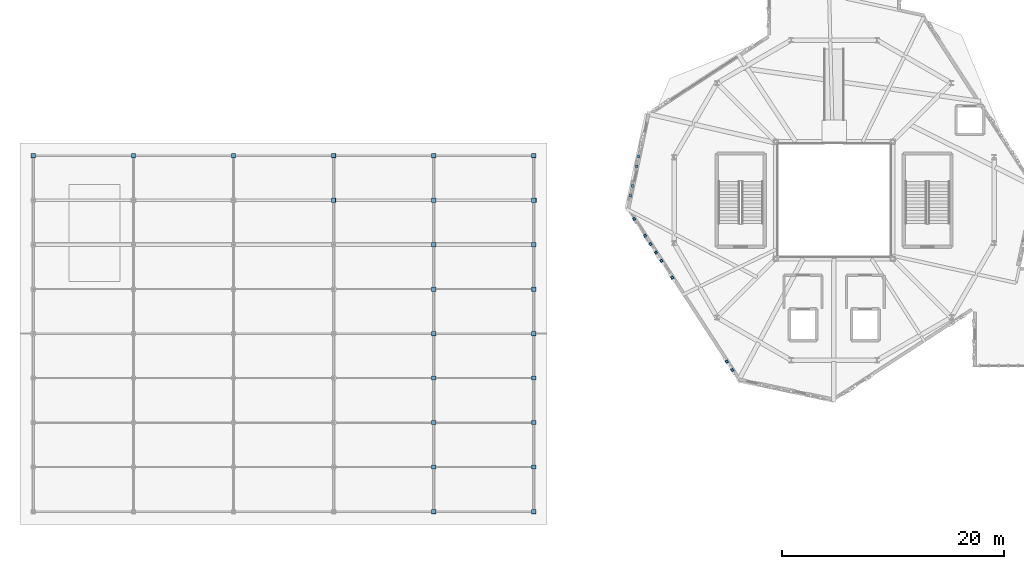
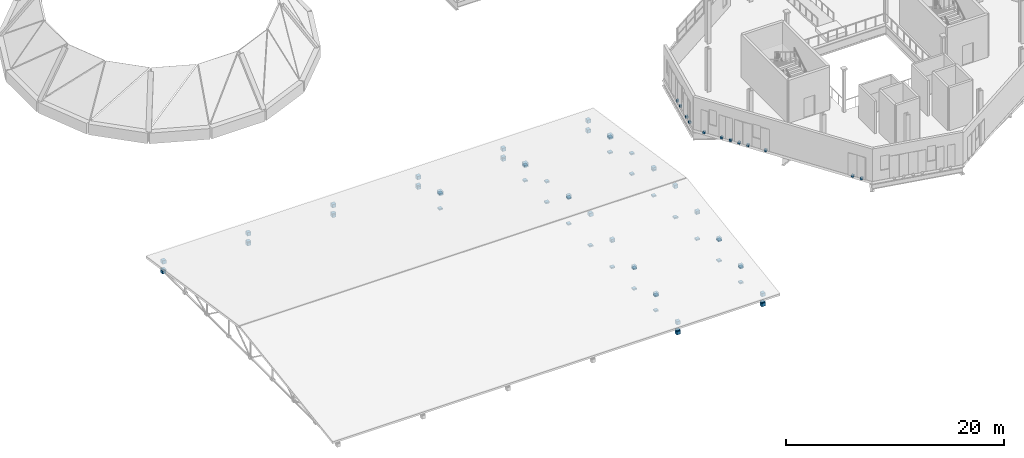
# One storey, part 109 of 118: 76 discrete accessories.
"""IFC4 building model written with IfcOpenShell, lengths in metres."""

import ifcopenshell
import ifcopenshell.guid

model = None  # the IFC model being written
_history = None  # IfcOwnerHistory: only IFC2X3 demands one
_inside = {}  # id of a spatial element -> (the spatial element, [elements in it])
_under = {}  # id of a project, library or spatial element -> (it, [spatial elements below it])
_declared = {}  # id of a project -> (the project, [libraries it declares])
_typed = {}  # id of a type object -> (the type object, [elements of that type])
_made_of = {}  # id of a material, layer set ... -> (it, [elements and type objects made of it])


def new_model(schema):
    """Start an empty IFC model of exactly this schema.

    Asked for "IFC4X3", IfcOpenShell would pick the latest addendum, in which some entities
    have other attributes; the version numbers below select the first issue.
    IFC2X3 requires an IfcOwnerHistory on every rooted entity: one is made here for all.
    """
    global model, _history
    if schema == "IFC4X3":
        model = ifcopenshell.file(schema_version=(4, 3, 0, 0))
    else:
        model = ifcopenshell.file(schema=schema)
    _inside.clear()
    _under.clear()
    _declared.clear()
    _typed.clear()
    _made_of.clear()
    _history = None
    if model.schema == "IFC2X3":
        org = make("IfcOrganization", Name="unknown")
        user = make(
            "IfcPersonAndOrganization",
            ThePerson=make("IfcPerson", FamilyName="unknown"),
            TheOrganization=org,
        )
        app = make(
            "IfcApplication",
            ApplicationDeveloper=org,
            Version="unknown",
            ApplicationFullName="unknown",
            ApplicationIdentifier="unknown",
        )
        _history = make(
            "IfcOwnerHistory",
            OwningUser=user,
            OwningApplication=app,
            ChangeAction="ADDED",
            CreationDate=0,
        )
    return model


def make(cls, **values):
    """One entity of the class cls with the attributes given. An attribute that is None is left unset."""
    return model.create_entity(
        cls, **{name: value for name, value in values.items() if value is not None}
    )


def rooted(cls, **values):
    """An entity with a GlobalId (a new one), such as an element, a storey or a relation."""
    return make(cls, GlobalId=ifcopenshell.guid.new(), OwnerHistory=_history, **values)


def si_unit(unit_type, name, prefix=None):
    """IfcSIUnit, for example si_unit("LENGTHUNIT", "METRE", prefix="MILLI")."""
    return make("IfcSIUnit", UnitType=unit_type, Prefix=prefix, Name=name)


def assignment(units):
    """IfcUnitAssignment: the units of a project."""
    return None if units is None else make("IfcUnitAssignment", Units=units)


def point(xyz):
    """IfcCartesianPoint."""
    return None if xyz is None else make("IfcCartesianPoint", Coordinates=xyz)


def direction(xyz):
    """IfcDirection."""
    return None if xyz is None else make("IfcDirection", DirectionRatios=xyz)


def frame(location, z_axis=None, x_axis=None):
    """IfcAxis2Placement3D, a coordinate frame: its origin and axes. An axis left out is left unset."""
    return make(
        "IfcAxis2Placement3D",
        Location=point(location),
        Axis=direction(z_axis),
        RefDirection=direction(x_axis),
    )


def origin():
    """The frame at (0, 0, 0) with its axes left unset."""
    return frame((0.0, 0.0, 0.0))


def place(relative_to, where):
    """IfcLocalPlacement: puts the frame where relative to a parent placement (None: the world)."""
    return make(
        "IfcLocalPlacement", PlacementRelTo=relative_to, RelativePlacement=where
    )


def context(
    kind, dimensions, precision=None, world=None, true_north=None, identifier=None
):
    """IfcGeometricRepresentationContext, for example the 3D "Model" context."""
    return make(
        "IfcGeometricRepresentationContext",
        ContextIdentifier=identifier,
        ContextType=kind,
        CoordinateSpaceDimension=dimensions,
        Precision=precision,
        WorldCoordinateSystem=world,
        TrueNorth=true_north,
    )


def subcontext(parent, identifier, kind, view, scale=None):
    """IfcGeometricRepresentationSubContext, for example "Body" below "Model"."""
    return make(
        "IfcGeometricRepresentationSubContext",
        ContextIdentifier=identifier,
        ContextType=kind,
        ParentContext=parent,
        TargetScale=scale,
        TargetView=view,
    )


def project(units=None, contexts=None):
    """IfcProject with its units and contexts."""
    return rooted(
        "IfcProject",
        Name="project",
        RepresentationContexts=contexts,
        UnitsInContext=assignment(units),
    )


def spatial(cls, under=None, at=None, **own):
    """A site, building, storey or space (cls), placed at a placement, below another one or the project."""
    s = rooted(cls, ObjectPlacement=at, **own)
    if under is not None:
        _under.setdefault(under.id(), (under, []))[1].append(s)
    return s


def polyline(points):
    """IfcPolyline through the points."""
    return make("IfcPolyline", Points=[point(p) for p in points])


def outline(outer, holes=None, kind="AREA"):
    """IfcArbitraryClosedProfileDef: a profile drawn as a closed curve; with holes, ...WithVoids."""
    if holes is None:
        return make("IfcArbitraryClosedProfileDef", ProfileType=kind, OuterCurve=outer)
    return make(
        "IfcArbitraryProfileDefWithVoids",
        ProfileType=kind,
        OuterCurve=outer,
        InnerCurves=holes,
    )


def extrude(swept, where, along, depth):
    """IfcExtrudedAreaSolid: the profile swept, set in the frame where, extruded along a direction by depth."""
    return make(
        "IfcExtrudedAreaSolid",
        SweptArea=swept,
        Position=where,
        ExtrudedDirection=direction(along),
        Depth=depth,
    )


def shape(context_of_items, identifier, shape_type, items):
    """IfcShapeRepresentation: the items that make up one representation, for example the "Body"."""
    return make(
        "IfcShapeRepresentation",
        ContextOfItems=context_of_items,
        RepresentationIdentifier=identifier,
        RepresentationType=shape_type,
        Items=items,
    )


def material(Name=None, Category=None):
    """IfcMaterial."""
    return make("IfcMaterial", Name=Name, Category=Category)


def made_of(thing, what):
    """Note that an element or type object is made of a material, layer set ...; save() writes the relation."""
    if what is not None:
        _made_of.setdefault(what.id(), (what, []))[1].append(thing)
    return thing


def type_object(cls, material=None, **own):
    """A type object (cls), such as IfcWallType, which elements share."""
    return made_of(rooted(cls, **own), material)


def element(
    cls,
    number,
    at=None,
    inside=None,
    cuts=None,
    type_object=None,
    material=None,
    context=None,
    identifier="Body",
    shape_type=None,
    held_by="IfcProductDefinitionShape",
    body=None,
    shapes=None,
    **own,
):
    """One element of the class cls, such as IfcWall. Its Tag is "e" and its number.

    at: its placement. inside: the storey or other place that contains it. cuts: it is an
    opening in that element (IfcRelVoidsElement). A single representation is given by context,
    identifier, shape_type and body (its items); several are given by shapes. held_by: the class
    of the entity that holds the representations. save() writes the other relations.
    """
    e = rooted(cls, Tag="e%d" % number, ObjectPlacement=at, **own)
    if body is not None:
        shapes = [shape(context, identifier, shape_type, body)]
    if shapes is not None:
        e.Representation = make(held_by, Representations=shapes)
    if inside is not None:
        _inside.setdefault(inside.id(), (inside, []))[1].append(e)
    if cuts is not None:
        rooted(
            "IfcRelVoidsElement", RelatingBuildingElement=cuts, RelatedOpeningElement=e
        )
    if type_object is not None:
        _typed.setdefault(type_object.id(), (type_object, []))[1].append(e)
    return made_of(e, material)


def aggregate(whole, parts):
    """IfcRelAggregates: a whole, such as a stair, and the parts it consists of."""
    return rooted("IfcRelAggregates", RelatingObject=whole, RelatedObjects=parts)


def save(model, path):
    """Write the relations noted so far, then the file.

    IfcRelAggregates (storeys below a building ...), IfcRelContainedInSpatialStructure (elements
    in a storey), IfcRelDefinesByType, IfcRelAssociatesMaterial and IfcRelDeclares: one each for
    every whole, place, type object, material and project.
    """
    for whole, parts in _under.values():
        aggregate(whole, parts)
    for where, things in _inside.values():
        rooted(
            "IfcRelContainedInSpatialStructure",
            RelatedElements=things,
            RelatingStructure=where,
        )
    for kind, things in _typed.values():
        rooted("IfcRelDefinesByType", RelatedObjects=things, RelatingType=kind)
    for what, things in _made_of.values():
        rooted("IfcRelAssociatesMaterial", RelatedObjects=things, RelatingMaterial=what)
    for by, libraries in _declared.values():
        rooted("IfcRelDeclares", RelatingContext=by, RelatedDefinitions=libraries)
    model.write(path)


model = new_model("IFC4")

# Units and contexts
model_context = context("Model", 3, precision=1e-05, world=origin(), true_north=direction((0.0, 1.0)))
body_context = subcontext(model_context, "Body", "Model", "MODEL_VIEW")
ifc_project = project(units=[si_unit("LENGTHUNIT", "METRE"), si_unit("AREAUNIT", "SQUARE_METRE"), si_unit("VOLUMEUNIT", "CUBIC_METRE"), si_unit("PLANEANGLEUNIT", "RADIAN"), si_unit("MASSUNIT", "GRAM", prefix="KILO"), si_unit("THERMODYNAMICTEMPERATUREUNIT", "KELVIN"), si_unit("POWERUNIT", "WATT")], contexts=[model_context])

# Site, building, storey
site_placement = place(None, origin())
site = spatial("IfcSite", under=ifc_project, at=site_placement, CompositionType="ELEMENT")
building_placement = place(site_placement, origin())
building = spatial("IfcBuilding", under=site, at=building_placement, Name="Zelmaris Science Centre", CompositionType="ELEMENT")
storey_placement = place(building_placement, frame((0.0, 0.0, 15.60009765625)))
storey = spatial("IfcBuildingStorey", under=building, at=storey_placement, Name="L03", CompositionType="ELEMENT", Elevation=15.60009765625)

# Discrete accessories
ifc_material_1 = material(Name="Galvanised steel ASTM A500 Grade B", Category="steel")
discrete_accessory_type_1 = type_object("IfcDiscreteAccessoryType", Name="Facade Bracket BK-01", PredefinedType="BRACKET", material=ifc_material_1)
discrete_accessory_1_placement = place(storey_placement, frame((0.0, 0.0, -0.14013671875)))
element("IfcDiscreteAccessory", 1, at=discrete_accessory_1_placement, inside=storey, type_object=discrete_accessory_type_1, Name="L03 Facade anchorage bracket 127", PredefinedType="BRACKET", context=body_context, shape_type="SweptSolid", body=[
    extrude(outline(polyline([(72.004150390625, 20.69091796875), (71.87353515625, 20.89208984375), (71.67919921875, 20.76611328125), (71.81005859375, 20.564697265625), (72.004150390625, 20.69091796875)])), origin(), (0.0, 0.0, 1.0), 0.239990234375),
])
discrete_accessory_2_placement = place(storey_placement, frame((0.0, 0.0, -0.14013671875)))
element("IfcDiscreteAccessory", 2, at=discrete_accessory_2_placement, inside=storey, type_object=discrete_accessory_type_1, Name="L03 Facade anchorage bracket 128", PredefinedType="BRACKET", context=body_context, shape_type="SweptSolid", body=[
    extrude(outline(polyline([(71.513916015625, 21.445556640625), (71.38330078125, 21.64697265625), (71.189208984375, 21.520751953125), (71.31982421875, 21.319580078125), (71.513916015625, 21.445556640625)])), origin(), (0.0, 0.0, 1.0), 0.239990234375),
])
discrete_accessory_3_placement = place(storey_placement, frame((0.0, 0.0, -0.14013671875)))
element("IfcDiscreteAccessory", 3, at=discrete_accessory_3_placement, inside=storey, type_object=discrete_accessory_type_1, Name="L03 Facade anchorage bracket 129", PredefinedType="BRACKET", context=body_context, shape_type="SweptSolid", body=[
    extrude(outline(polyline([(66.6123046875, 28.99365234375), (66.481689453125, 29.195068359375), (66.287353515625, 29.06884765625), (66.41796875, 28.867431640625), (66.6123046875, 28.99365234375)])), origin(), (0.0, 0.0, 1.0), 0.239990234375),
])
discrete_accessory_4_placement = place(storey_placement, frame((0.0, 0.0, -0.14013671875)))
element("IfcDiscreteAccessory", 4, at=discrete_accessory_4_placement, inside=storey, type_object=discrete_accessory_type_1, Name="L03 Facade anchorage bracket 130", PredefinedType="BRACKET", context=body_context, shape_type="SweptSolid", body=[
    extrude(outline(polyline([(65.6318359375, 30.50341796875), (65.501220703125, 30.70458984375), (65.306884765625, 30.578369140625), (65.437744140625, 30.377197265625), (65.6318359375, 30.50341796875)])), origin(), (0.0, 0.0, 1.0), 0.239990234375),
])
discrete_accessory_5_placement = place(storey_placement, frame((0.0, 0.0, -0.14013671875)))
element("IfcDiscreteAccessory", 5, at=discrete_accessory_5_placement, inside=storey, type_object=discrete_accessory_type_1, Name="L03 Facade anchorage bracket 131", PredefinedType="BRACKET", context=body_context, shape_type="SweptSolid", body=[
    extrude(outline(polyline([(65.1416015625, 31.258056640625), (65.010986328125, 31.45947265625), (64.81689453125, 31.333251953125), (64.947509765625, 31.132080078125), (65.1416015625, 31.258056640625)])), origin(), (0.0, 0.0, 1.0), 0.239990234375),
])
discrete_accessory_6_placement = place(storey_placement, frame((0.0, 0.0, -0.14013671875)))
element("IfcDiscreteAccessory", 6, at=discrete_accessory_6_placement, inside=storey, type_object=discrete_accessory_type_1, Name="L03 Facade anchorage bracket 132", PredefinedType="BRACKET", context=body_context, shape_type="SweptSolid", body=[
    extrude(outline(polyline([(64.651611328125, 32.012939453125), (64.52099609375, 32.214111328125), (64.32666015625, 32.087890625), (64.457275390625, 31.88671875), (64.651611328125, 32.012939453125)])), origin(), (0.0, 0.0, 1.0), 0.239990234375),
])
discrete_accessory_7_placement = place(storey_placement, frame((0.0, 0.0, -0.14013671875)))
element("IfcDiscreteAccessory", 7, at=discrete_accessory_7_placement, inside=storey, type_object=discrete_accessory_type_1, Name="L03 Facade anchorage bracket 133", PredefinedType="BRACKET", context=body_context, shape_type="SweptSolid", body=[
    extrude(outline(polyline([(64.161376953125, 32.767578125), (64.03076171875, 32.968994140625), (63.83642578125, 32.8427734375), (63.96728515625, 32.6416015625), (64.161376953125, 32.767578125)])), origin(), (0.0, 0.0, 1.0), 0.239990234375),
])
discrete_accessory_8_placement = place(storey_placement, frame((0.0, 0.0, -0.14013671875)))
element("IfcDiscreteAccessory", 8, at=discrete_accessory_8_placement, inside=storey, type_object=discrete_accessory_type_1, Name="L03 Facade anchorage bracket 134", PredefinedType="BRACKET", context=body_context, shape_type="SweptSolid", body=[
    extrude(outline(polyline([(63.180908203125, 34.27734375), (63.05029296875, 34.478515625), (62.856201171875, 34.352294921875), (62.98681640625, 34.151123046875), (63.180908203125, 34.27734375)])), origin(), (0.0, 0.0, 1.0), 0.239990234375),
])
discrete_accessory_9_placement = place(storey_placement, frame((0.0, 0.0, -0.14013671875)))
element("IfcDiscreteAccessory", 9, at=discrete_accessory_9_placement, inside=storey, type_object=discrete_accessory_type_1, Name="L03 Facade anchorage bracket 135", PredefinedType="BRACKET", context=body_context, shape_type="SweptSolid", body=[
    extrude(outline(polyline([(62.762451171875, 36.260498046875), (62.8125, 36.495361328125), (62.5859375, 36.54345703125), (62.535888671875, 36.30859375), (62.762451171875, 36.260498046875)])), origin(), (0.0, 0.0, 1.0), 0.239990234375),
])
discrete_accessory_10_placement = place(storey_placement, frame((0.0, 0.0, -0.14013671875)))
element("IfcDiscreteAccessory", 10, at=discrete_accessory_10_placement, inside=storey, type_object=discrete_accessory_type_1, Name="L03 Facade anchorage bracket 136", PredefinedType="BRACKET", context=body_context, shape_type="SweptSolid", body=[
    extrude(outline(polyline([(62.94970703125, 37.140869140625), (62.99951171875, 37.375732421875), (62.77294921875, 37.423828125), (62.72314453125, 37.18896484375), (62.94970703125, 37.140869140625)])), origin(), (0.0, 0.0, 1.0), 0.239990234375),
])
discrete_accessory_11_placement = place(storey_placement, frame((0.0, 0.0, -0.14013671875)))
element("IfcDiscreteAccessory", 11, at=discrete_accessory_11_placement, inside=storey, type_object=discrete_accessory_type_1, Name="L03 Facade anchorage bracket 137", PredefinedType="BRACKET", context=body_context, shape_type="SweptSolid", body=[
    extrude(outline(polyline([(63.323974609375, 38.901611328125), (63.373779296875, 39.13623046875), (63.147216796875, 39.1845703125), (63.097412109375, 38.94970703125), (63.323974609375, 38.901611328125)])), origin(), (0.0, 0.0, 1.0), 0.239990234375),
])
discrete_accessory_12_placement = place(storey_placement, frame((0.0, 0.0, -0.14013671875)))
element("IfcDiscreteAccessory", 12, at=discrete_accessory_12_placement, inside=storey, type_object=discrete_accessory_type_1, Name="L03 Facade anchorage bracket 138", PredefinedType="BRACKET", context=body_context, shape_type="SweptSolid", body=[
    extrude(outline(polyline([(63.510986328125, 39.781982421875), (63.560791015625, 40.0166015625), (63.33447265625, 40.064697265625), (63.284423828125, 39.830078125), (63.510986328125, 39.781982421875)])), origin(), (0.0, 0.0, 1.0), 0.239990234375),
])
ifc_material_2 = material(Name="Steel ASTM A500 Grade C", Category="steel")
discrete_accessory_type_2 = type_object("IfcDiscreteAccessoryType", Name="Hollow Section End Cap Plate BK-ECP", PredefinedType="BRACKET", material=ifc_material_2)
discrete_accessory_13_placement = place(storey_placement, frame((0.0, 0.0, -0.29345703125)))
element("IfcDiscreteAccessory", 13, at=discrete_accessory_13_placement, inside=storey, type_object=discrete_accessory_type_2, Name="End cap plate 58", PredefinedType="BRACKET", context=body_context, shape_type="SweptSolid", body=[
    extrude(outline(polyline([(8.81103515625, 39.81689453125), (9.18896484375, 39.81689453125), (9.18896484375, 40.195068359375), (8.81103515625, 40.195068359375), (8.81103515625, 39.81689453125)])), origin(), (0.0, 0.0, 1.0), 0.378173828125),
])
discrete_accessory_14_placement = place(storey_placement, frame((0.0, 0.0, 0.803955078125)))
element("IfcDiscreteAccessory", 14, at=discrete_accessory_14_placement, inside=storey, type_object=discrete_accessory_type_2, Name="End cap plate 61", PredefinedType="BRACKET", context=body_context, shape_type="SweptSolid", body=[
    extrude(outline(polyline([(8.80908203125, 39.815185546875), (9.19091796875, 39.815185546875), (9.19091796875, 40.19677734375), (8.80908203125, 40.19677734375), (8.80908203125, 39.815185546875)])), origin(), (0.0, 0.0, 1.0), 0.381591796875),
])
discrete_accessory_15_placement = place(storey_placement, frame((0.0, 0.0, 0.014892578125)))
element("IfcDiscreteAccessory", 15, at=discrete_accessory_15_placement, inside=storey, type_object=discrete_accessory_type_2, Name="End cap plate 76", PredefinedType="BRACKET", context=body_context, shape_type="SweptSolid", body=[
    extrude(outline(polyline([(8.80908203125, 39.80908203125), (9.19091796875, 39.80908203125), (9.19091796875, 40.19091796875), (8.80908203125, 40.19091796875), (8.80908203125, 39.80908203125)])), origin(), (0.0, 0.0, 1.0), 0.157958984375),
])
discrete_accessory_16_placement = place(storey_placement, frame((0.0, 0.0, -0.29345703125)))
element("IfcDiscreteAccessory", 16, at=discrete_accessory_16_placement, inside=storey, type_object=discrete_accessory_type_2, Name="End cap plate 78", PredefinedType="BRACKET", context=body_context, shape_type="SweptSolid", body=[
    extrude(outline(polyline([(17.81103515625, 39.81689453125), (18.18896484375, 39.81689453125), (18.18896484375, 40.195068359375), (17.81103515625, 40.195068359375), (17.81103515625, 39.81689453125)])), origin(), (0.0, 0.0, 1.0), 0.378173828125),
])
discrete_accessory_17_placement = place(storey_placement, frame((0.0, 0.0, 0.803955078125)))
element("IfcDiscreteAccessory", 17, at=discrete_accessory_17_placement, inside=storey, type_object=discrete_accessory_type_2, Name="End cap plate 81", PredefinedType="BRACKET", context=body_context, shape_type="SweptSolid", body=[
    extrude(outline(polyline([(17.80908203125, 39.815185546875), (18.19091796875, 39.815185546875), (18.19091796875, 40.19677734375), (17.80908203125, 40.19677734375), (17.80908203125, 39.815185546875)])), origin(), (0.0, 0.0, 1.0), 0.381591796875),
])
discrete_accessory_18_placement = place(storey_placement, frame((0.0, 0.0, 0.014892578125)))
element("IfcDiscreteAccessory", 18, at=discrete_accessory_18_placement, inside=storey, type_object=discrete_accessory_type_2, Name="End cap plate 96", PredefinedType="BRACKET", context=body_context, shape_type="SweptSolid", body=[
    extrude(outline(polyline([(17.80908203125, 39.80908203125), (18.19091796875, 39.80908203125), (18.19091796875, 40.19091796875), (17.80908203125, 40.19091796875), (17.80908203125, 39.80908203125)])), origin(), (0.0, 0.0, 1.0), 0.157958984375),
])
discrete_accessory_19_placement = place(storey_placement, frame((0.0, 0.0, -0.29345703125)))
element("IfcDiscreteAccessory", 19, at=discrete_accessory_19_placement, inside=storey, type_object=discrete_accessory_type_2, Name="End cap plate 98", PredefinedType="BRACKET", context=body_context, shape_type="SweptSolid", body=[
    extrude(outline(polyline([(26.81103515625, 39.81689453125), (27.18896484375, 39.81689453125), (27.18896484375, 40.195068359375), (26.81103515625, 40.195068359375), (26.81103515625, 39.81689453125)])), origin(), (0.0, 0.0, 1.0), 0.378173828125),
])
discrete_accessory_20_placement = place(storey_placement, frame((0.0, 0.0, 0.803955078125)))
element("IfcDiscreteAccessory", 20, at=discrete_accessory_20_placement, inside=storey, type_object=discrete_accessory_type_2, Name="End cap plate 101", PredefinedType="BRACKET", context=body_context, shape_type="SweptSolid", body=[
    extrude(outline(polyline([(26.80908203125, 39.815185546875), (27.19091796875, 39.815185546875), (27.19091796875, 40.19677734375), (26.80908203125, 40.19677734375), (26.80908203125, 39.815185546875)])), origin(), (0.0, 0.0, 1.0), 0.381591796875),
])
discrete_accessory_21_placement = place(storey_placement, frame((0.0, 0.0, 0.014892578125)))
element("IfcDiscreteAccessory", 21, at=discrete_accessory_21_placement, inside=storey, type_object=discrete_accessory_type_2, Name="End cap plate 116", PredefinedType="BRACKET", context=body_context, shape_type="SweptSolid", body=[
    extrude(outline(polyline([(26.80908203125, 39.80908203125), (27.19091796875, 39.80908203125), (27.19091796875, 40.19091796875), (26.80908203125, 40.19091796875), (26.80908203125, 39.80908203125)])), origin(), (0.0, 0.0, 1.0), 0.157958984375),
])
discrete_accessory_22_placement = place(storey_placement, frame((0.0, 0.0, -0.29345703125)))
element("IfcDiscreteAccessory", 22, at=discrete_accessory_22_placement, inside=storey, type_object=discrete_accessory_type_2, Name="End cap plate 118", PredefinedType="BRACKET", context=body_context, shape_type="SweptSolid", body=[
    extrude(outline(polyline([(35.81103515625, 39.81689453125), (36.18896484375, 39.81689453125), (36.18896484375, 40.195068359375), (35.81103515625, 40.195068359375), (35.81103515625, 39.81689453125)])), origin(), (0.0, 0.0, 1.0), 0.378173828125),
])
discrete_accessory_23_placement = place(storey_placement, frame((0.0, 0.0, 0.803955078125)))
element("IfcDiscreteAccessory", 23, at=discrete_accessory_23_placement, inside=storey, type_object=discrete_accessory_type_2, Name="End cap plate 121", PredefinedType="BRACKET", context=body_context, shape_type="SweptSolid", body=[
    extrude(outline(polyline([(35.80908203125, 39.815185546875), (36.19091796875, 39.815185546875), (36.19091796875, 40.19677734375), (35.80908203125, 40.19677734375), (35.80908203125, 39.815185546875)])), origin(), (0.0, 0.0, 1.0), 0.381591796875),
])
for number, where, name in (
    (24, (0.0, 0.0, -0.189453125), "End cap plate 133"),
    (25, (0.0, 0.0, 1.522705078125), "End cap plate 134"),
):
    element("IfcDiscreteAccessory", number, at=place(storey_placement, frame(where)), inside=storey, type_object=discrete_accessory_type_2, Name=name, PredefinedType="BRACKET", context=body_context, shape_type="SweptSolid", body=[
        extrude(outline(polyline([(35.81103515625, 35.81103515625), (36.18896484375, 35.81103515625), (36.18896484375, 36.18896484375), (35.81103515625, 36.18896484375), (35.81103515625, 35.81103515625)])), origin(), (0.0, 0.0, 1.0), 0.157958984375),
    ])
discrete_accessory_24_placement = place(storey_placement, frame((0.0, 0.0, 0.014892578125)))
element("IfcDiscreteAccessory", 26, at=discrete_accessory_24_placement, inside=storey, type_object=discrete_accessory_type_2, Name="End cap plate 136", PredefinedType="BRACKET", context=body_context, shape_type="SweptSolid", body=[
    extrude(outline(polyline([(35.80908203125, 39.80908203125), (36.19091796875, 39.80908203125), (36.19091796875, 40.19091796875), (35.80908203125, 40.19091796875), (35.80908203125, 39.80908203125)])), origin(), (0.0, 0.0, 1.0), 0.157958984375),
])
discrete_accessory_25_placement = place(storey_placement, frame((0.0, 0.0, -0.29345703125)))
element("IfcDiscreteAccessory", 27, at=discrete_accessory_25_placement, inside=storey, type_object=discrete_accessory_type_2, Name="End cap plate 137", PredefinedType="BRACKET", context=body_context, shape_type="SweptSolid", body=[
    extrude(outline(polyline([(44.81103515625, 7.804931640625), (45.18896484375, 7.804931640625), (45.18896484375, 8.18310546875), (44.81103515625, 8.18310546875), (44.81103515625, 7.804931640625)])), origin(), (0.0, 0.0, 1.0), 0.378173828125),
])
discrete_accessory_26_placement = place(storey_placement, frame((0.0, 0.0, -0.29345703125)))
element("IfcDiscreteAccessory", 28, at=discrete_accessory_26_placement, inside=storey, type_object=discrete_accessory_type_2, Name="End cap plate 138", PredefinedType="BRACKET", context=body_context, shape_type="SweptSolid", body=[
    extrude(outline(polyline([(44.81103515625, 39.81689453125), (45.18896484375, 39.81689453125), (45.18896484375, 40.195068359375), (44.81103515625, 40.195068359375), (44.81103515625, 39.81689453125)])), origin(), (0.0, 0.0, 1.0), 0.378173828125),
])
discrete_accessory_27_placement = place(storey_placement, frame((0.0, 0.0, 0.803955078125)))
element("IfcDiscreteAccessory", 29, at=discrete_accessory_27_placement, inside=storey, type_object=discrete_accessory_type_2, Name="End cap plate 139", PredefinedType="BRACKET", context=body_context, shape_type="SweptSolid", body=[
    extrude(outline(polyline([(44.80908203125, 7.80322265625), (45.19091796875, 7.80322265625), (45.19091796875, 8.184814453125), (44.80908203125, 8.184814453125), (44.80908203125, 7.80322265625)])), origin(), (0.0, 0.0, 1.0), 0.381591796875),
])
discrete_accessory_28_placement = place(storey_placement, frame((0.0, 0.0, 3.205810546875)))
element("IfcDiscreteAccessory", 30, at=discrete_accessory_28_placement, inside=storey, type_object=discrete_accessory_type_2, Name="End cap plate 140", PredefinedType="BRACKET", context=body_context, shape_type="SweptSolid", body=[
    extrude(outline(polyline([(44.80908203125, 23.815185546875), (45.19091796875, 23.815185546875), (45.19091796875, 24.19677734375), (44.80908203125, 24.19677734375), (44.80908203125, 23.815185546875)])), origin(), (0.0, 0.0, 1.0), 0.381591796875),
])
discrete_accessory_29_placement = place(storey_placement, frame((0.0, 0.0, 0.803955078125)))
element("IfcDiscreteAccessory", 31, at=discrete_accessory_29_placement, inside=storey, type_object=discrete_accessory_type_2, Name="End cap plate 141", PredefinedType="BRACKET", context=body_context, shape_type="SweptSolid", body=[
    extrude(outline(polyline([(44.80908203125, 39.815185546875), (45.19091796875, 39.815185546875), (45.19091796875, 40.19677734375), (44.80908203125, 40.19677734375), (44.80908203125, 39.815185546875)])), origin(), (0.0, 0.0, 1.0), 0.381591796875),
])
for number, where, name in (
    (32, (0.0, 0.0, -0.189453125), "End cap plate 142"),
    (33, (0.0, 0.0, 1.522705078125), "End cap plate 143"),
):
    element("IfcDiscreteAccessory", number, at=place(storey_placement, frame(where)), inside=storey, type_object=discrete_accessory_type_2, Name=name, PredefinedType="BRACKET", context=body_context, shape_type="SweptSolid", body=[
        extrude(outline(polyline([(44.81103515625, 11.81103515625), (45.18896484375, 11.81103515625), (45.18896484375, 12.18896484375), (44.81103515625, 12.18896484375), (44.81103515625, 11.81103515625)])), origin(), (0.0, 0.0, 1.0), 0.157958984375),
    ])
for number, where, name in (
    (34, (0.0, 0.0, -0.189453125), "End cap plate 144"),
    (35, (0.0, 0.0, 2.12255859375), "End cap plate 145"),
):
    element("IfcDiscreteAccessory", number, at=place(storey_placement, frame(where)), inside=storey, type_object=discrete_accessory_type_2, Name=name, PredefinedType="BRACKET", context=body_context, shape_type="SweptSolid", body=[
        extrude(outline(polyline([(44.81103515625, 15.81103515625), (45.18896484375, 15.81103515625), (45.18896484375, 16.18896484375), (44.81103515625, 16.18896484375), (44.81103515625, 15.81103515625)])), origin(), (0.0, 0.0, 1.0), 0.157958984375),
    ])
for number, where, name in (
    (36, (0.0, 0.0, -0.189453125), "End cap plate 146"),
    (37, (0.0, 0.0, 2.72265625), "End cap plate 147"),
):
    element("IfcDiscreteAccessory", number, at=place(storey_placement, frame(where)), inside=storey, type_object=discrete_accessory_type_2, Name=name, PredefinedType="BRACKET", context=body_context, shape_type="SweptSolid", body=[
        extrude(outline(polyline([(44.81103515625, 19.81103515625), (45.18896484375, 19.81103515625), (45.18896484375, 20.18896484375), (44.81103515625, 20.18896484375), (44.81103515625, 19.81103515625)])), origin(), (0.0, 0.0, 1.0), 0.157958984375),
    ])
discrete_accessory_30_placement = place(storey_placement, frame((0.0, 0.0, -0.189453125)))
element("IfcDiscreteAccessory", 38, at=discrete_accessory_30_placement, inside=storey, type_object=discrete_accessory_type_2, Name="End cap plate 148", PredefinedType="BRACKET", context=body_context, shape_type="SweptSolid", body=[
    extrude(outline(polyline([(44.81103515625, 23.81103515625), (45.18896484375, 23.81103515625), (45.18896484375, 24.18896484375), (44.81103515625, 24.18896484375), (44.81103515625, 23.81103515625)])), origin(), (0.0, 0.0, 1.0), 0.157958984375),
])
for number, where, name in (
    (39, (0.0, 0.0, -0.189453125), "End cap plate 149"),
    (40, (0.0, 0.0, 2.72265625), "End cap plate 150"),
):
    element("IfcDiscreteAccessory", number, at=place(storey_placement, frame(where)), inside=storey, type_object=discrete_accessory_type_2, Name=name, PredefinedType="BRACKET", context=body_context, shape_type="SweptSolid", body=[
        extrude(outline(polyline([(44.81103515625, 27.81103515625), (45.18896484375, 27.81103515625), (45.18896484375, 28.18896484375), (44.81103515625, 28.18896484375), (44.81103515625, 27.81103515625)])), origin(), (0.0, 0.0, 1.0), 0.157958984375),
    ])
for number, where, name in (
    (41, (0.0, 0.0, -0.189453125), "End cap plate 151"),
    (42, (0.0, 0.0, 2.12255859375), "End cap plate 152"),
):
    element("IfcDiscreteAccessory", number, at=place(storey_placement, frame(where)), inside=storey, type_object=discrete_accessory_type_2, Name=name, PredefinedType="BRACKET", context=body_context, shape_type="SweptSolid", body=[
        extrude(outline(polyline([(44.81103515625, 31.81103515625), (45.18896484375, 31.81103515625), (45.18896484375, 32.18896484375), (44.81103515625, 32.18896484375), (44.81103515625, 31.81103515625)])), origin(), (0.0, 0.0, 1.0), 0.157958984375),
    ])
for number, where, name in (
    (43, (0.0, 0.0, -0.189453125), "End cap plate 153"),
    (44, (0.0, 0.0, 1.522705078125), "End cap plate 154"),
):
    element("IfcDiscreteAccessory", number, at=place(storey_placement, frame(where)), inside=storey, type_object=discrete_accessory_type_2, Name=name, PredefinedType="BRACKET", context=body_context, shape_type="SweptSolid", body=[
        extrude(outline(polyline([(44.81103515625, 35.81103515625), (45.18896484375, 35.81103515625), (45.18896484375, 36.18896484375), (44.81103515625, 36.18896484375), (44.81103515625, 35.81103515625)])), origin(), (0.0, 0.0, 1.0), 0.157958984375),
    ])
discrete_accessory_31_placement = place(storey_placement, frame((0.0, 0.0, 0.014892578125)))
element("IfcDiscreteAccessory", 45, at=discrete_accessory_31_placement, inside=storey, type_object=discrete_accessory_type_2, Name="End cap plate 155", PredefinedType="BRACKET", context=body_context, shape_type="SweptSolid", body=[
    extrude(outline(polyline([(44.80908203125, 7.80908203125), (45.19091796875, 7.80908203125), (45.19091796875, 8.19091796875), (44.80908203125, 8.19091796875), (44.80908203125, 7.80908203125)])), origin(), (0.0, 0.0, 1.0), 0.157958984375),
])
discrete_accessory_32_placement = place(storey_placement, frame((0.0, 0.0, 0.014892578125)))
element("IfcDiscreteAccessory", 46, at=discrete_accessory_32_placement, inside=storey, type_object=discrete_accessory_type_2, Name="End cap plate 156", PredefinedType="BRACKET", context=body_context, shape_type="SweptSolid", body=[
    extrude(outline(polyline([(44.80908203125, 39.80908203125), (45.19091796875, 39.80908203125), (45.19091796875, 40.19091796875), (44.80908203125, 40.19091796875), (44.80908203125, 39.80908203125)])), origin(), (0.0, 0.0, 1.0), 0.157958984375),
])
discrete_accessory_33_placement = place(storey_placement, frame((0.0, 0.0, -0.29345703125)))
element("IfcDiscreteAccessory", 47, at=discrete_accessory_33_placement, inside=storey, type_object=discrete_accessory_type_2, Name="End cap plate 157", PredefinedType="BRACKET", context=body_context, shape_type="SweptSolid", body=[
    extrude(outline(polyline([(53.81103515625, 7.804931640625), (54.18896484375, 7.804931640625), (54.18896484375, 8.18310546875), (53.81103515625, 8.18310546875), (53.81103515625, 7.804931640625)])), origin(), (0.0, 0.0, 1.0), 0.378173828125),
])
discrete_accessory_34_placement = place(storey_placement, frame((0.0, 0.0, -0.29345703125)))
element("IfcDiscreteAccessory", 48, at=discrete_accessory_34_placement, inside=storey, type_object=discrete_accessory_type_2, Name="End cap plate 158", PredefinedType="BRACKET", context=body_context, shape_type="SweptSolid", body=[
    extrude(outline(polyline([(53.81103515625, 39.81689453125), (54.18896484375, 39.81689453125), (54.18896484375, 40.195068359375), (53.81103515625, 40.195068359375), (53.81103515625, 39.81689453125)])), origin(), (0.0, 0.0, 1.0), 0.378173828125),
])
discrete_accessory_35_placement = place(storey_placement, frame((0.0, 0.0, 0.803955078125)))
element("IfcDiscreteAccessory", 49, at=discrete_accessory_35_placement, inside=storey, type_object=discrete_accessory_type_2, Name="End cap plate 159", PredefinedType="BRACKET", context=body_context, shape_type="SweptSolid", body=[
    extrude(outline(polyline([(53.80908203125, 7.80322265625), (54.19091796875, 7.80322265625), (54.19091796875, 8.184814453125), (53.80908203125, 8.184814453125), (53.80908203125, 7.80322265625)])), origin(), (0.0, 0.0, 1.0), 0.381591796875),
])
discrete_accessory_36_placement = place(storey_placement, frame((0.0, 0.0, 3.205810546875)))
element("IfcDiscreteAccessory", 50, at=discrete_accessory_36_placement, inside=storey, type_object=discrete_accessory_type_2, Name="End cap plate 160", PredefinedType="BRACKET", context=body_context, shape_type="SweptSolid", body=[
    extrude(outline(polyline([(53.80908203125, 23.815185546875), (54.19091796875, 23.815185546875), (54.19091796875, 24.19677734375), (53.80908203125, 24.19677734375), (53.80908203125, 23.815185546875)])), origin(), (0.0, 0.0, 1.0), 0.381591796875),
])
discrete_accessory_37_placement = place(storey_placement, frame((0.0, 0.0, 0.803955078125)))
element("IfcDiscreteAccessory", 51, at=discrete_accessory_37_placement, inside=storey, type_object=discrete_accessory_type_2, Name="End cap plate 161", PredefinedType="BRACKET", context=body_context, shape_type="SweptSolid", body=[
    extrude(outline(polyline([(53.80908203125, 39.815185546875), (54.19091796875, 39.815185546875), (54.19091796875, 40.19677734375), (53.80908203125, 40.19677734375), (53.80908203125, 39.815185546875)])), origin(), (0.0, 0.0, 1.0), 0.381591796875),
])
for number, where, name in (
    (52, (0.0, 0.0, -0.189453125), "End cap plate 162"),
    (53, (0.0, 0.0, 1.522705078125), "End cap plate 163"),
):
    element("IfcDiscreteAccessory", number, at=place(storey_placement, frame(where)), inside=storey, type_object=discrete_accessory_type_2, Name=name, PredefinedType="BRACKET", context=body_context, shape_type="SweptSolid", body=[
        extrude(outline(polyline([(53.81103515625, 11.81103515625), (54.18896484375, 11.81103515625), (54.18896484375, 12.18896484375), (53.81103515625, 12.18896484375), (53.81103515625, 11.81103515625)])), origin(), (0.0, 0.0, 1.0), 0.157958984375),
    ])
for number, where, name in (
    (54, (0.0, 0.0, -0.189453125), "End cap plate 164"),
    (55, (0.0, 0.0, 2.12255859375), "End cap plate 165"),
):
    element("IfcDiscreteAccessory", number, at=place(storey_placement, frame(where)), inside=storey, type_object=discrete_accessory_type_2, Name=name, PredefinedType="BRACKET", context=body_context, shape_type="SweptSolid", body=[
        extrude(outline(polyline([(53.81103515625, 15.81103515625), (54.18896484375, 15.81103515625), (54.18896484375, 16.18896484375), (53.81103515625, 16.18896484375), (53.81103515625, 15.81103515625)])), origin(), (0.0, 0.0, 1.0), 0.157958984375),
    ])
for number, where, name in (
    (56, (0.0, 0.0, -0.189453125), "End cap plate 166"),
    (57, (0.0, 0.0, 2.72265625), "End cap plate 167"),
):
    element("IfcDiscreteAccessory", number, at=place(storey_placement, frame(where)), inside=storey, type_object=discrete_accessory_type_2, Name=name, PredefinedType="BRACKET", context=body_context, shape_type="SweptSolid", body=[
        extrude(outline(polyline([(53.81103515625, 19.81103515625), (54.18896484375, 19.81103515625), (54.18896484375, 20.18896484375), (53.81103515625, 20.18896484375), (53.81103515625, 19.81103515625)])), origin(), (0.0, 0.0, 1.0), 0.157958984375),
    ])
discrete_accessory_38_placement = place(storey_placement, frame((0.0, 0.0, -0.189453125)))
element("IfcDiscreteAccessory", 58, at=discrete_accessory_38_placement, inside=storey, type_object=discrete_accessory_type_2, Name="End cap plate 168", PredefinedType="BRACKET", context=body_context, shape_type="SweptSolid", body=[
    extrude(outline(polyline([(53.81103515625, 23.81103515625), (54.18896484375, 23.81103515625), (54.18896484375, 24.18896484375), (53.81103515625, 24.18896484375), (53.81103515625, 23.81103515625)])), origin(), (0.0, 0.0, 1.0), 0.157958984375),
])
for number, where, name in (
    (59, (0.0, 0.0, -0.189453125), "End cap plate 169"),
    (60, (0.0, 0.0, 2.72265625), "End cap plate 170"),
):
    element("IfcDiscreteAccessory", number, at=place(storey_placement, frame(where)), inside=storey, type_object=discrete_accessory_type_2, Name=name, PredefinedType="BRACKET", context=body_context, shape_type="SweptSolid", body=[
        extrude(outline(polyline([(53.81103515625, 27.81103515625), (54.18896484375, 27.81103515625), (54.18896484375, 28.18896484375), (53.81103515625, 28.18896484375), (53.81103515625, 27.81103515625)])), origin(), (0.0, 0.0, 1.0), 0.157958984375),
    ])
for number, where, name in (
    (61, (0.0, 0.0, -0.189453125), "End cap plate 171"),
    (62, (0.0, 0.0, 2.12255859375), "End cap plate 172"),
):
    element("IfcDiscreteAccessory", number, at=place(storey_placement, frame(where)), inside=storey, type_object=discrete_accessory_type_2, Name=name, PredefinedType="BRACKET", context=body_context, shape_type="SweptSolid", body=[
        extrude(outline(polyline([(53.81103515625, 31.81103515625), (54.18896484375, 31.81103515625), (54.18896484375, 32.18896484375), (53.81103515625, 32.18896484375), (53.81103515625, 31.81103515625)])), origin(), (0.0, 0.0, 1.0), 0.157958984375),
    ])
for number, where, name in (
    (63, (0.0, 0.0, -0.189453125), "End cap plate 173"),
    (64, (0.0, 0.0, 1.522705078125), "End cap plate 174"),
):
    element("IfcDiscreteAccessory", number, at=place(storey_placement, frame(where)), inside=storey, type_object=discrete_accessory_type_2, Name=name, PredefinedType="BRACKET", context=body_context, shape_type="SweptSolid", body=[
        extrude(outline(polyline([(53.81103515625, 35.81103515625), (54.18896484375, 35.81103515625), (54.18896484375, 36.18896484375), (53.81103515625, 36.18896484375), (53.81103515625, 35.81103515625)])), origin(), (0.0, 0.0, 1.0), 0.157958984375),
    ])
discrete_accessory_39_placement = place(storey_placement, frame((0.0, 0.0, 0.014892578125)))
element("IfcDiscreteAccessory", 65, at=discrete_accessory_39_placement, inside=storey, type_object=discrete_accessory_type_2, Name="End cap plate 175", PredefinedType="BRACKET", context=body_context, shape_type="SweptSolid", body=[
    extrude(outline(polyline([(53.80908203125, 7.80908203125), (54.19091796875, 7.80908203125), (54.19091796875, 8.19091796875), (53.80908203125, 8.19091796875), (53.80908203125, 7.80908203125)])), origin(), (0.0, 0.0, 1.0), 0.157958984375),
])
discrete_accessory_40_placement = place(storey_placement, frame((0.0, 0.0, 1.446044921875)))
element("IfcDiscreteAccessory", 66, at=discrete_accessory_40_placement, inside=storey, type_object=discrete_accessory_type_2, Name="End cap plate 196", PredefinedType="BRACKET", context=body_context, shape_type="SweptSolid", body=[
    extrude(outline(polyline([(35.786865234375, 35.78076171875), (36.22509765625, 35.78076171875), (36.22509765625, 36.21923828125), (35.786865234375, 36.21923828125), (35.786865234375, 35.78076171875)])), origin(), (0.0, 0.0, 1.0), 0.4384765625),
])
discrete_accessory_41_placement = place(storey_placement, frame((0.0, 0.0, 1.499755859375)))
element("IfcDiscreteAccessory", 67, at=discrete_accessory_41_placement, inside=storey, type_object=discrete_accessory_type_2, Name="End cap plate 197", PredefinedType="BRACKET", context=body_context, shape_type="SweptSolid", body=[
    extrude(outline(polyline([(44.815185546875, 11.80908203125), (45.19677734375, 11.80908203125), (45.19677734375, 12.19091796875), (44.815185546875, 12.19091796875), (44.815185546875, 11.80908203125)])), origin(), (0.0, 0.0, 1.0), 0.381591796875),
])
discrete_accessory_42_placement = place(storey_placement, frame((0.0, 0.0, 2.1142578125)))
element("IfcDiscreteAccessory", 68, at=discrete_accessory_42_placement, inside=storey, type_object=discrete_accessory_type_2, Name="End cap plate 198", PredefinedType="BRACKET", context=body_context, shape_type="SweptSolid", body=[
    extrude(outline(polyline([(44.81689453125, 15.81103515625), (45.195068359375, 15.81103515625), (45.195068359375, 16.18896484375), (44.81689453125, 16.18896484375), (44.81689453125, 15.81103515625)])), origin(), (0.0, 0.0, 1.0), 0.3779296875),
])
discrete_accessory_43_placement = place(storey_placement, frame((0.0, 0.0, 2.72705078125)))
element("IfcDiscreteAccessory", 69, at=discrete_accessory_43_placement, inside=storey, type_object=discrete_accessory_type_2, Name="End cap plate 199", PredefinedType="BRACKET", context=body_context, shape_type="SweptSolid", body=[
    extrude(outline(polyline([(44.81689453125, 19.81103515625), (45.195068359375, 19.81103515625), (45.195068359375, 20.18896484375), (44.81689453125, 20.18896484375), (44.81689453125, 19.81103515625)])), origin(), (0.0, 0.0, 1.0), 0.3779296875),
])
discrete_accessory_44_placement = place(storey_placement, frame((0.0, 0.0, 2.75244140625)))
element("IfcDiscreteAccessory", 70, at=discrete_accessory_44_placement, inside=storey, type_object=discrete_accessory_type_2, Name="End cap plate 200", PredefinedType="BRACKET", context=body_context, shape_type="SweptSolid", body=[
    extrude(outline(polyline([(44.81689453125, 27.81103515625), (45.195068359375, 27.81103515625), (45.195068359375, 28.18896484375), (44.81689453125, 28.18896484375), (44.81689453125, 27.81103515625)])), origin(), (0.0, 0.0, 1.0), 0.3779296875),
])
discrete_accessory_45_placement = place(storey_placement, frame((0.0, 0.0, 1.446044921875)))
element("IfcDiscreteAccessory", 71, at=discrete_accessory_45_placement, inside=storey, type_object=discrete_accessory_type_2, Name="End cap plate 201", PredefinedType="BRACKET", context=body_context, shape_type="SweptSolid", body=[
    extrude(outline(polyline([(44.786865234375, 35.78076171875), (45.22509765625, 35.78076171875), (45.22509765625, 36.21923828125), (44.786865234375, 36.21923828125), (44.786865234375, 35.78076171875)])), origin(), (0.0, 0.0, 1.0), 0.4384765625),
])
discrete_accessory_46_placement = place(storey_placement, frame((0.0, 0.0, 1.499755859375)))
element("IfcDiscreteAccessory", 72, at=discrete_accessory_46_placement, inside=storey, type_object=discrete_accessory_type_2, Name="End cap plate 202", PredefinedType="BRACKET", context=body_context, shape_type="SweptSolid", body=[
    extrude(outline(polyline([(53.815185546875, 11.80908203125), (54.19677734375, 11.80908203125), (54.19677734375, 12.19091796875), (53.815185546875, 12.19091796875), (53.815185546875, 11.80908203125)])), origin(), (0.0, 0.0, 1.0), 0.381591796875),
])
discrete_accessory_47_placement = place(storey_placement, frame((0.0, 0.0, 2.1142578125)))
element("IfcDiscreteAccessory", 73, at=discrete_accessory_47_placement, inside=storey, type_object=discrete_accessory_type_2, Name="End cap plate 203", PredefinedType="BRACKET", context=body_context, shape_type="SweptSolid", body=[
    extrude(outline(polyline([(53.81689453125, 15.81103515625), (54.195068359375, 15.81103515625), (54.195068359375, 16.18896484375), (53.81689453125, 16.18896484375), (53.81689453125, 15.81103515625)])), origin(), (0.0, 0.0, 1.0), 0.3779296875),
])
discrete_accessory_48_placement = place(storey_placement, frame((0.0, 0.0, 2.72705078125)))
element("IfcDiscreteAccessory", 74, at=discrete_accessory_48_placement, inside=storey, type_object=discrete_accessory_type_2, Name="End cap plate 204", PredefinedType="BRACKET", context=body_context, shape_type="SweptSolid", body=[
    extrude(outline(polyline([(53.81689453125, 19.81103515625), (54.195068359375, 19.81103515625), (54.195068359375, 20.18896484375), (53.81689453125, 20.18896484375), (53.81689453125, 19.81103515625)])), origin(), (0.0, 0.0, 1.0), 0.3779296875),
])
discrete_accessory_49_placement = place(storey_placement, frame((0.0, 0.0, 2.75244140625)))
element("IfcDiscreteAccessory", 75, at=discrete_accessory_49_placement, inside=storey, type_object=discrete_accessory_type_2, Name="End cap plate 205", PredefinedType="BRACKET", context=body_context, shape_type="SweptSolid", body=[
    extrude(outline(polyline([(53.81689453125, 27.81103515625), (54.195068359375, 27.81103515625), (54.195068359375, 28.18896484375), (53.81689453125, 28.18896484375), (53.81689453125, 27.81103515625)])), origin(), (0.0, 0.0, 1.0), 0.3779296875),
])
discrete_accessory_50_placement = place(storey_placement, frame((0.0, 0.0, 1.446044921875)))
element("IfcDiscreteAccessory", 76, at=discrete_accessory_50_placement, inside=storey, type_object=discrete_accessory_type_2, Name="End cap plate 206", PredefinedType="BRACKET", context=body_context, shape_type="SweptSolid", body=[
    extrude(outline(polyline([(53.786865234375, 35.78076171875), (54.22509765625, 35.78076171875), (54.22509765625, 36.21923828125), (53.786865234375, 36.21923828125), (53.786865234375, 35.78076171875)])), origin(), (0.0, 0.0, 1.0), 0.4384765625),
])

save(model, "model.ifc")
